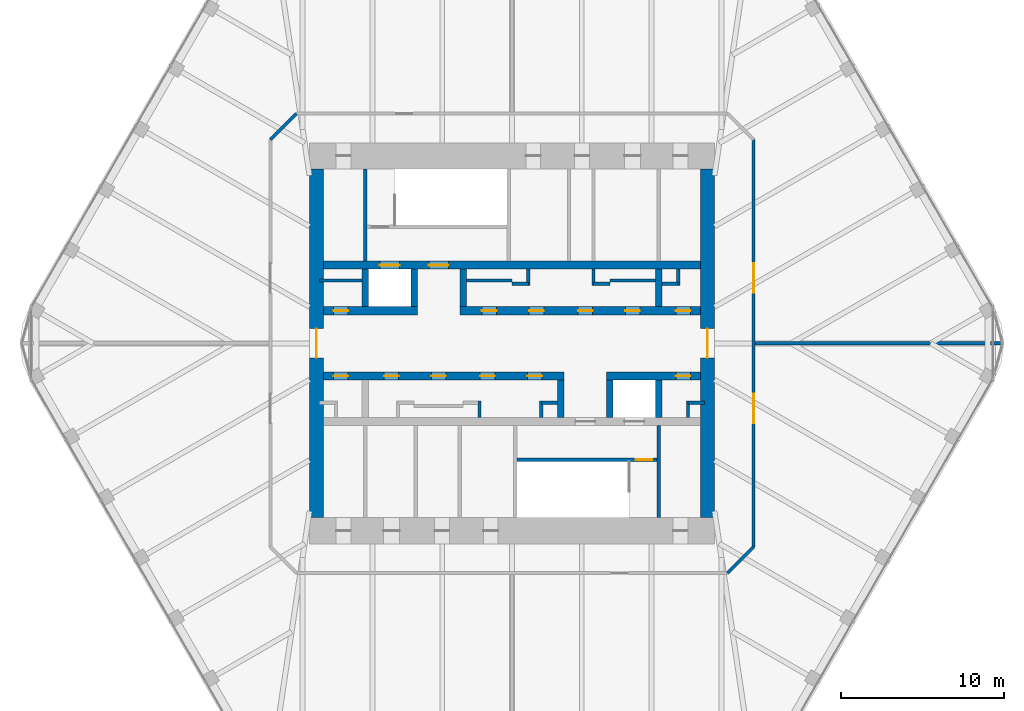
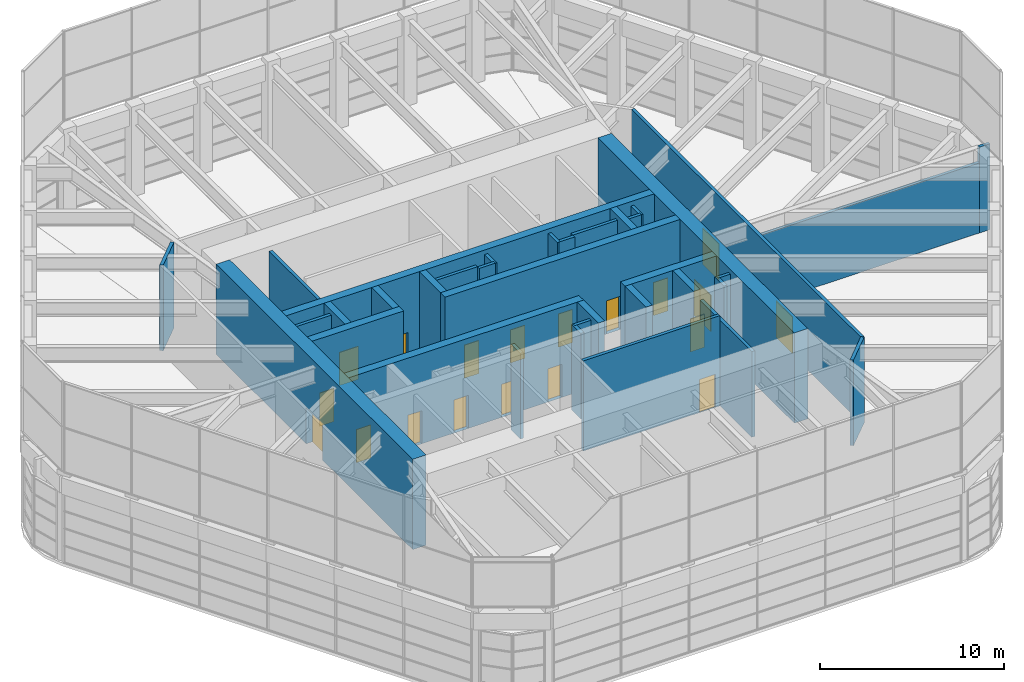
# One storey, part 15 of 17: 36 walls, 19 doors, 19 openings.
"""IFC4 building model written with IfcOpenShell, lengths in metres."""

from ifc_helpers import new_model, si_unit, direction, frame, frame_2d, origin, place, context, subcontext, project, spatial, rectangle, extrude, material, layer, layer_set, type_object, element, fill, save


model = new_model("IFC4")

# Units and contexts
model_context = context("Model", 3, precision=1e-05, world=origin(), true_north=direction((0.0, 1.0)))
body_context = subcontext(model_context, "Body", "Model", "MODEL_VIEW")
ifc_project = project(units=[si_unit("LENGTHUNIT", "METRE"), si_unit("AREAUNIT", "SQUARE_METRE"), si_unit("VOLUMEUNIT", "CUBIC_METRE"), si_unit("PLANEANGLEUNIT", "RADIAN"), si_unit("MASSUNIT", "GRAM", prefix="KILO")], contexts=[model_context])

# Site, building, storey
site_placement = place(None, origin())
site = spatial("IfcSite", under=ifc_project, at=site_placement, CompositionType="ELEMENT")
building_placement = place(site_placement, origin())
building = spatial("IfcBuilding", under=site, at=building_placement, Name="Tarfa Lantern Tower", CompositionType="ELEMENT")
storey_placement = place(building_placement, frame((0.0, 0.0, 402.300048828125)))
storey = spatial("IfcBuildingStorey", under=building, at=storey_placement, Name="L91", CompositionType="ELEMENT", Elevation=402.300048828125)

# Walls
ifc_material_1 = material(Name="Concrete blockwork", Category="masonry")
ifc_layer_1 = layer(ifc_material_1, 0.199951171875)
ifc_layer_set_1 = layer_set([ifc_layer_1], Name="IW1 BLOCKWORK PARTITION 200 EI 120")
wall_type_1 = type_object("IfcWallType", Name="IW1 BLOCKWORK PARTITION 200 EI 120", PredefinedType="PARTITIONING", material=ifc_layer_set_1)
for number, where, z_axis, x_axis, name in (
    (1, (-9.0, 5.050048828125, 0.0), (0.0, 0.0, 1.0), (0.0, 1.0, 0.0), "Core partition"),
    (2, (9.0, -5.050048828125, 0.0), (0.0, 0.0, 1.0), (0.0, -1.0, 0.0), "Core partition"),
):
    element("IfcWall", number, at=place(storey_placement, frame(where, z_axis=z_axis, x_axis=x_axis)), inside=storey, type_object=wall_type_1, Name=name, PredefinedType="PARTITIONING", context=body_context, shape_type="SweptSolid", body=[
        extrude(rectangle(XDim=5.64990234375, YDim=0.199951171875, at=frame_2d((2.824951171875, 0.0))), origin(), (0.0, 0.0, 1.0), 5.699951171875),
    ])
wall_1_placement = place(storey_placement, frame((-11.800048828125, 3.85009765625, 0.0), z_axis=(0.0, 0.0, 1.0), x_axis=(1.0, 0.0, 0.0)))
element("IfcWall", 3, at=wall_1_placement, inside=storey, type_object=wall_type_1, Name="Core partition", PredefinedType="PARTITIONING", context=body_context, shape_type="SweptSolid", body=[
    extrude(rectangle(XDim=2.60009765625, YDim=0.199951171875, at=frame_2d((1.300048828125, 0.0))), origin(), (0.0, 0.0, 1.0), 5.699951171875),
])
wall_2_placement = place(storey_placement, frame((-2.800048828125, 3.85009765625, 0.0), z_axis=(0.0, 0.0, 1.0), x_axis=(1.0, 0.0, 0.0)))
element("IfcWall", 4, at=wall_2_placement, inside=storey, type_object=wall_type_1, Name="Core partition", PredefinedType="PARTITIONING", context=body_context, shape_type="SweptSolid", body=[
    extrude(rectangle(XDim=2.800048828125, YDim=0.199951171875, at=frame_2d((1.39990234375, 0.0))), origin(), (0.0, 0.0, 1.0), 5.699951171875),
])
for number, where, z_axis, x_axis, name in (
    (5, (0.0, 3.64990234375, 0.0), (0.0, 0.0, 1.0), (1.0, 0.0, 0.0), "Core partition"),
    (6, (1.0, 3.550048828125, 0.0), (0.0, 0.0, 1.0), (0.0, 1.0, 0.0), "Core partition"),
    (7, (5.0, 3.64990234375, 0.0), (0.0, 0.0, 1.0), (1.0, 0.0, 0.0), "Core partition"),
    (8, (5.0, 3.550048828125, 0.0), (0.0, 0.0, 1.0), (0.0, 1.0, 0.0), "Core partition"),
):
    element("IfcWall", number, at=place(storey_placement, frame(where, z_axis=z_axis, x_axis=x_axis)), inside=storey, type_object=wall_type_1, Name=name, PredefinedType="PARTITIONING", context=body_context, shape_type="SweptSolid", body=[
        extrude(rectangle(XDim=1.0, YDim=0.199951171875, at=frame_2d((0.5, 0.0))), origin(), (0.0, 0.0, 1.0), 5.699951171875),
    ])
wall_3_placement = place(storey_placement, frame((6.0, 3.85009765625, 0.0), z_axis=(0.0, 0.0, 1.0), x_axis=(1.0, 0.0, 0.0)))
element("IfcWall", 9, at=wall_3_placement, inside=storey, type_object=wall_type_1, Name="Core partition", PredefinedType="PARTITIONING", context=body_context, shape_type="SweptSolid", body=[
    extrude(rectangle(XDim=2.800048828125, YDim=0.199951171875, at=frame_2d((1.39990234375, 0.0))), origin(), (0.0, 0.0, 1.0), 5.699951171875),
])
for number, where, z_axis, x_axis, name in (
    (10, (9.199951171875, 3.64990234375, 0.0), (0.0, 0.0, 1.0), (1.0, 0.0, 0.0), "Core partition"),
    (11, (10.199951171875, 3.550048828125, 0.0), (0.0, 0.0, 1.0), (0.0, 1.0, 0.0), "Core partition"),
    (12, (11.800048828125, -3.64990234375, 0.0), (0.0, 0.0, 1.0), (-1.0, 0.0, 0.0), "Core partition"),
    (13, (10.800048828125, -3.550048828125, 0.0), (0.0, 0.0, 1.0), (0.0, -1.0, 0.0), "Core partition"),
    (14, (2.800048828125, -3.64990234375, 0.0), (0.0, 0.0, 1.0), (-1.0, 0.0, 0.0), "Core partition"),
    (15, (1.800048828125, -3.550048828125, 0.0), (0.0, 0.0, 1.0), (0.0, -1.0, 0.0), "Core partition"),
    (16, (-2.0, -3.550048828125, 0.0), (0.0, 0.0, 1.0), (0.0, -1.0, 0.0), "Core partition"),
):
    element("IfcWall", number, at=place(storey_placement, frame(where, z_axis=z_axis, x_axis=x_axis)), inside=storey, type_object=wall_type_1, Name=name, PredefinedType="PARTITIONING", context=body_context, shape_type="SweptSolid", body=[
        extrude(rectangle(XDim=1.0, YDim=0.199951171875, at=frame_2d((0.5, 0.0))), origin(), (0.0, 0.0, 1.0), 5.699951171875),
    ])

# Wall, openings, doors
wall_4_placement = place(storey_placement, frame((14.824951171875, 12.5, 0.0), z_axis=(0.0, 0.0, 1.0), x_axis=(0.0, -1.0, 0.0)))
wall_4 = element("IfcWall", 17, at=wall_4_placement, inside=storey, type_object=wall_type_1, Name="Fire-rated partition", PredefinedType="PARTITIONING", context=body_context, shape_type="SweptSolid", body=[
    extrude(rectangle(XDim=25.0, YDim=0.199951171875, at=frame_2d((12.5, 0.0))), origin(), (0.0, 0.0, 1.0), 5.699951171875),
])
opening_1_placement = place(wall_4_placement, frame((7.60009765625, 0.0, 0.0)))
opening_1 = element("IfcOpeningElement", 18, at=opening_1_placement, cuts=wall_4, Name="Opening D29", PredefinedType="OPENING", context=body_context, shape_type="SweptSolid", body=[
    extrude(rectangle(XDim=1.800048828125, YDim=2.39990234375, at=frame_2d((0.89990234375, 1.199951171875))), frame((0.0, 0.10986328125, 0.0), z_axis=(0.0, -1.0, 0.0), x_axis=(1.0, 0.0, 0.0)), (0.0, 0.0, 1.0), 0.219970703125),
])
opening_2_placement = place(wall_4_placement, frame((15.60009765625, 0.0, 0.0)))
opening_2 = element("IfcOpeningElement", 19, at=opening_2_placement, cuts=wall_4, Name="Opening D31", PredefinedType="OPENING", context=body_context, shape_type="SweptSolid", body=[
    extrude(rectangle(XDim=1.800048828125, YDim=2.39990234375, at=frame_2d((0.89990234375, 1.199951171875))), frame((0.0, 0.10986328125, 0.0), z_axis=(0.0, -1.0, 0.0), x_axis=(1.0, 0.0, 0.0)), (0.0, 0.0, 1.0), 0.219970703125),
])
ifc_material_2 = material(Name="Steel fire door", Category="steel")
door_type_1 = type_object("IfcDoorType", Name="DF7 FIRE DOOR 1800x2400", OperationType="DOUBLE_DOOR_SINGLE_SWING", PredefinedType="DOOR", material=ifc_material_2)
door_1_placement = place(opening_1_placement, origin())
door_1 = element("IfcDoor", 20, at=door_1_placement, inside=storey, type_object=door_type_1, Name="Building maintenance plant room door", OperationType="DOUBLE_DOOR_SINGLE_SWING", OverallHeight=2.39990234375, OverallWidth=1.800048828125, PredefinedType="DOOR", context=body_context, shape_type="SweptSolid", body=[
    extrude(rectangle(XDim=1.800048828125, YDim=2.39990234375, at=frame_2d((0.89990234375, 1.199951171875))), frame((0.0, 0.02490234375, 0.0), z_axis=(0.0, -1.0, 0.0), x_axis=(1.0, 0.0, 0.0)), (0.0, 0.0, 1.0), 0.050048828125),
])
fill(opening_1, door_1)
door_2_placement = place(opening_2_placement, origin())
door_2 = element("IfcDoor", 21, at=door_2_placement, inside=storey, type_object=door_type_1, Name="Water tank room door", OperationType="DOUBLE_DOOR_SINGLE_SWING", OverallHeight=2.39990234375, OverallWidth=1.800048828125, PredefinedType="DOOR", context=body_context, shape_type="SweptSolid", body=[
    extrude(rectangle(XDim=1.800048828125, YDim=2.39990234375, at=frame_2d((0.89990234375, 1.199951171875))), frame((0.0, 0.02490234375, 0.0), z_axis=(0.0, -1.0, 0.0), x_axis=(1.0, 0.0, 0.0)), (0.0, 0.0, 1.0), 0.050048828125),
])
fill(opening_2, door_2)

# Walls
for number, where, z_axis, x_axis, name in (
    (22, (14.824951171875, -12.5, 0.0), (0.0, 0.0, 1.0), (-0.707052830339, -0.707160727918, 0.0), "Fire-rated partition"),
    (23, (-14.824951171875, 12.5, 0.0), (0.0, 0.0, 1.0), (0.707052830339, 0.707160727918, 0.0), "Fire-rated partition"),
):
    element("IfcWall", number, at=place(storey_placement, frame(where, z_axis=z_axis, x_axis=x_axis)), inside=storey, type_object=wall_type_1, Name=name, PredefinedType="PARTITIONING", context=body_context, shape_type="SweptSolid", body=[
        extrude(rectangle(XDim=2.2626953125, YDim=0.199951171875, at=frame_2d((1.13134765625, 0.0))), origin(), (0.0, 0.0, 1.0), 5.699951171875),
    ])
wall_5_placement = place(storey_placement, frame((14.925048828125, 0.0, 0.0), z_axis=(0.0, 0.0, 1.0), x_axis=(1.0, 0.0, 0.0)))
element("IfcWall", 24, at=wall_5_placement, inside=storey, type_object=wall_type_1, Name="Fire-rated partition", PredefinedType="PARTITIONING", context=body_context, shape_type="SweptSolid", body=[
    extrude(rectangle(XDim=14.421630859375, YDim=0.199951171875, at=frame_2d((7.2109375, 0.0))), origin(), (0.0, 0.0, 1.0), 4.66357421875),
])
wall_6_placement = place(storey_placement, frame((29.3466796875, 0.0, 0.0), z_axis=(0.0, 0.0, 1.0), x_axis=(1.0, 0.0, 0.0)))
element("IfcWall", 25, at=wall_6_placement, inside=storey, type_object=wall_type_1, Name="Fire-rated partition", PredefinedType="PARTITIONING", context=body_context, shape_type="SweptSolid", body=[
    extrude(rectangle(XDim=0.65673828125, YDim=0.199951171875, at=frame_2d((0.328369140625, 0.0))), origin(), (0.0, 0.0, 1.0), 5.699951171875),
])

# Wall, opening, door
ifc_material_3 = material(Name="Concrete C80/95", Category="concrete")
ifc_layer_2 = layer(ifc_material_3, 0.199951171875)
ifc_layer_set_2 = layer_set([ifc_layer_2], Name="SW12 CORE WALL 200")
wall_type_2 = type_object("IfcWallType", Name="SW12 CORE WALL 200", PredefinedType="SHEAR", material=ifc_layer_set_2)
wall_7_placement = place(storey_placement, frame((8.89990234375, -7.14990234375, 0.0), z_axis=(0.0, 0.0, 1.0), x_axis=(-1.0, 0.0, 0.0)))
wall_7 = element("IfcWall", 26, at=wall_7_placement, inside=storey, type_object=wall_type_2, Name="Core wall stair partition S", PredefinedType="SHEAR", context=body_context, shape_type="SweptSolid", body=[
    extrude(rectangle(XDim=8.599853515625, YDim=0.199951171875, at=frame_2d((4.2998046875, 0.0))), origin(), (0.0, 0.0, 1.0), 6.0),
])
opening_3_placement = place(wall_7_placement, frame((0.300048828125, 0.0, 0.0)))
opening_3 = element("IfcOpeningElement", 27, at=opening_3_placement, cuts=wall_7, Name="Opening D28", PredefinedType="OPENING", context=body_context, shape_type="SweptSolid", body=[
    extrude(rectangle(XDim=1.0, YDim=2.199951171875, at=frame_2d((0.5, 1.10009765625))), frame((0.0, 0.10986328125, 0.0), z_axis=(0.0, -1.0, 0.0), x_axis=(1.0, 0.0, 0.0)), (0.0, 0.0, 1.0), 0.219970703125),
])
door_type_2 = type_object("IfcDoorType", Name="DF2 STAIR DOOR 1000x2200", OperationType="SINGLE_SWING_LEFT", PredefinedType="DOOR", material=ifc_material_2)
door_3_placement = place(opening_3_placement, origin())
door_3 = element("IfcDoor", 28, at=door_3_placement, inside=storey, type_object=door_type_2, Name="Stair door", OperationType="SINGLE_SWING_RIGHT", OverallHeight=2.199951171875, OverallWidth=1.0, PredefinedType="DOOR", context=body_context, shape_type="SweptSolid", body=[
    extrude(rectangle(XDim=1.0, YDim=2.199951171875, at=frame_2d((0.5, 1.10009765625))), frame((0.0, 0.02490234375, 0.0), z_axis=(0.0, -1.0, 0.0), x_axis=(1.0, 0.0, 0.0)), (0.0, 0.0, 1.0), 0.050048828125),
])
fill(opening_3, door_3)

ifc_layer_3 = layer(ifc_material_3, 0.85009765625)
ifc_layer_set_3 = layer_set([ifc_layer_3], Name="SW3 CORE WALL 850")
wall_type_3 = type_object("IfcWallType", Name="SW3 CORE WALL 850", PredefinedType="SHEAR", material=ifc_layer_set_3)
wall_8_placement = place(storey_placement, frame((12.0, -10.699951171875, 0.0), z_axis=(0.0, 0.0, 1.0), x_axis=(0.0, 1.0, 0.0)))
wall_8 = element("IfcWall", 29, at=wall_8_placement, inside=storey, type_object=wall_type_3, Name="Core wall E", PredefinedType="SHEAR", context=body_context, shape_type="SweptSolid", body=[
    extrude(rectangle(XDim=21.39990234375, YDim=0.85009765625, at=frame_2d((10.699951171875, 0.0))), origin(), (0.0, 0.0, 1.0), 6.0),
])
opening_4_placement = place(wall_8_placement, frame((9.800048828125, 0.0, 0.0)))
opening_4 = element("IfcOpeningElement", 30, at=opening_4_placement, cuts=wall_8, Name="Opening D07", PredefinedType="OPENING", context=body_context, shape_type="SweptSolid", body=[
    extrude(rectangle(XDim=1.800048828125, YDim=2.39990234375, at=frame_2d((0.89990234375, 1.199951171875))), frame((0.0, 0.43505859375, 0.0), z_axis=(0.0, -1.0, 0.0), x_axis=(1.0, 0.0, 0.0)), (0.0, 0.0, 1.0), 0.8701171875),
])
door_type_3 = type_object("IfcDoorType", Name="DL1 LOBBY DOOR 1800x2400", OperationType="DOUBLE_DOOR_SINGLE_SWING", PredefinedType="DOOR", material=ifc_material_2)
door_4_placement = place(opening_4_placement, frame((1.800048828125, 0.0, 0.0), z_axis=(0.0, 0.0, 1.0), x_axis=(-1.0, 0.0, 0.0)))
door_4 = element("IfcDoor", 31, at=door_4_placement, inside=storey, type_object=door_type_3, Name="Lift lobby door", OperationType="DOUBLE_DOOR_SINGLE_SWING", OverallHeight=2.39990234375, OverallWidth=1.800048828125, PredefinedType="DOOR", context=body_context, shape_type="SweptSolid", body=[
    extrude(rectangle(XDim=1.800048828125, YDim=2.39990234375, at=frame_2d((0.89990234375, 1.199951171875))), frame((0.0, 0.02490234375, 0.0), z_axis=(0.0, -1.0, 0.0), x_axis=(1.0, 0.0, 0.0)), (0.0, 0.0, 1.0), 0.050048828125),
])
fill(opening_4, door_4)

wall_9_placement = place(storey_placement, frame((-12.0, 10.699951171875, 0.0), z_axis=(0.0, 0.0, 1.0), x_axis=(0.0, -1.0, 0.0)))
wall_9 = element("IfcWall", 32, at=wall_9_placement, inside=storey, type_object=wall_type_3, Name="Core wall W", PredefinedType="SHEAR", context=body_context, shape_type="SweptSolid", body=[
    extrude(rectangle(XDim=21.39990234375, YDim=0.85009765625, at=frame_2d((10.699951171875, 0.0))), origin(), (0.0, 0.0, 1.0), 6.0),
])
opening_5_placement = place(wall_9_placement, frame((9.800048828125, 0.0, 0.0)))
opening_5 = element("IfcOpeningElement", 33, at=opening_5_placement, cuts=wall_9, Name="Opening D08", PredefinedType="OPENING", context=body_context, shape_type="SweptSolid", body=[
    extrude(rectangle(XDim=1.800048828125, YDim=2.39990234375, at=frame_2d((0.89990234375, 1.199951171875))), frame((0.0, 0.43505859375, 0.0), z_axis=(0.0, -1.0, 0.0), x_axis=(1.0, 0.0, 0.0)), (0.0, 0.0, 1.0), 0.8701171875),
])
door_5_placement = place(opening_5_placement, frame((1.800048828125, 0.0, 0.0), z_axis=(0.0, 0.0, 1.0), x_axis=(-1.0, 0.0, 0.0)))
door_5 = element("IfcDoor", 34, at=door_5_placement, inside=storey, type_object=door_type_3, Name="Lift lobby door", OperationType="DOUBLE_DOOR_SINGLE_SWING", OverallHeight=2.39990234375, OverallWidth=1.800048828125, PredefinedType="DOOR", context=body_context, shape_type="SweptSolid", body=[
    extrude(rectangle(XDim=1.800048828125, YDim=2.39990234375, at=frame_2d((0.89990234375, 1.199951171875))), frame((0.0, 0.02490234375, 0.0), z_axis=(0.0, -1.0, 0.0), x_axis=(1.0, 0.0, 0.0)), (0.0, 0.0, 1.0), 0.050048828125),
])
fill(opening_5, door_5)

ifc_layer_4 = layer(ifc_material_3, 0.5)
ifc_layer_set_4 = layer_set([ifc_layer_4], Name="SW5 CORE WALL 500")
wall_type_4 = type_object("IfcWallType", Name="SW5 CORE WALL 500", PredefinedType="SHEAR", material=ifc_layer_set_4)
wall_10_placement = place(storey_placement, frame((-11.574951171875, 2.0, 0.0), z_axis=(0.0, 0.0, 1.0), x_axis=(1.0, 0.0, 0.0)))
wall_10 = element("IfcWall", 35, at=wall_10_placement, inside=storey, type_object=wall_type_4, Name="Core wall lobby west N", PredefinedType="SHEAR", context=body_context, shape_type="SweptSolid", body=[
    extrude(rectangle(XDim=5.77490234375, YDim=0.5, at=frame_2d((2.887451171875, 0.0))), origin(), (0.0, 0.0, 1.0), 6.0),
])
opening_6_placement = place(wall_10_placement, frame((0.625, 0.0, 0.0)))
opening_6 = element("IfcOpeningElement", 36, at=opening_6_placement, cuts=wall_10, Name="Opening D11", PredefinedType="OPENING", context=body_context, shape_type="SweptSolid", body=[
    extrude(rectangle(XDim=0.89990234375, YDim=2.199951171875, at=frame_2d((0.449951171875, 1.10009765625))), frame((0.0, 0.260009765625, 0.0), z_axis=(0.0, -1.0, 0.0), x_axis=(1.0, 0.0, 0.0)), (0.0, 0.0, 1.0), 0.52001953125),
])
door_type_4 = type_object("IfcDoorType", Name="DF6 SERVICE ROOM DOOR 900x2200", OperationType="SINGLE_SWING_LEFT", PredefinedType="DOOR", material=ifc_material_2)
door_6_placement = place(opening_6_placement, origin())
door_6 = element("IfcDoor", 37, at=door_6_placement, inside=storey, type_object=door_type_4, Name="Service room door", OperationType="SINGLE_SWING_RIGHT", OverallHeight=2.199951171875, OverallWidth=0.89990234375, PredefinedType="DOOR", context=body_context, shape_type="SweptSolid", body=[
    extrude(rectangle(XDim=0.89990234375, YDim=2.199951171875, at=frame_2d((0.449951171875, 1.10009765625))), frame((0.0, 0.02490234375, 0.0), z_axis=(0.0, -1.0, 0.0), x_axis=(1.0, 0.0, 0.0)), (0.0, 0.0, 1.0), 0.050048828125),
])
fill(opening_6, door_6)

# Wall, openings, doors
wall_11_placement = place(storey_placement, frame((-3.199951171875, 2.0, 0.0), z_axis=(0.0, 0.0, 1.0), x_axis=(1.0, 0.0, 0.0)))
wall_11 = element("IfcWall", 38, at=wall_11_placement, inside=storey, type_object=wall_type_4, Name="Core wall lobby east N", PredefinedType="SHEAR", context=body_context, shape_type="SweptSolid", body=[
    extrude(rectangle(XDim=14.77490234375, YDim=0.5, at=frame_2d((7.387451171875, 0.0))), origin(), (0.0, 0.0, 1.0), 6.0),
])
opening_7_placement = place(wall_11_placement, frame((1.35009765625, 0.0, 0.0)))
opening_7 = element("IfcOpeningElement", 39, at=opening_7_placement, cuts=wall_11, Name="Opening D13", PredefinedType="OPENING", context=body_context, shape_type="SweptSolid", body=[
    extrude(rectangle(XDim=0.89990234375, YDim=2.199951171875, at=frame_2d((0.449951171875, 1.10009765625))), frame((0.0, 0.260009765625, 0.0), z_axis=(0.0, -1.0, 0.0), x_axis=(1.0, 0.0, 0.0)), (0.0, 0.0, 1.0), 0.52001953125),
])
opening_8_placement = place(wall_11_placement, frame((4.25, 0.0, 0.0)))
opening_8 = element("IfcOpeningElement", 40, at=opening_8_placement, cuts=wall_11, Name="Opening D15", PredefinedType="OPENING", context=body_context, shape_type="SweptSolid", body=[
    extrude(rectangle(XDim=0.89990234375, YDim=2.199951171875, at=frame_2d((0.449951171875, 1.10009765625))), frame((0.0, 0.260009765625, 0.0), z_axis=(0.0, -1.0, 0.0), x_axis=(1.0, 0.0, 0.0)), (0.0, 0.0, 1.0), 0.52001953125),
])
opening_9_placement = place(wall_11_placement, frame((7.25, 0.0, 0.0)))
opening_9 = element("IfcOpeningElement", 41, at=opening_9_placement, cuts=wall_11, Name="Opening D17", PredefinedType="OPENING", context=body_context, shape_type="SweptSolid", body=[
    extrude(rectangle(XDim=0.89990234375, YDim=2.199951171875, at=frame_2d((0.449951171875, 1.10009765625))), frame((0.0, 0.260009765625, 0.0), z_axis=(0.0, -1.0, 0.0), x_axis=(1.0, 0.0, 0.0)), (0.0, 0.0, 1.0), 0.52001953125),
])
opening_10_placement = place(wall_11_placement, frame((10.14990234375, 0.0, 0.0)))
opening_10 = element("IfcOpeningElement", 42, at=opening_10_placement, cuts=wall_11, Name="Opening D19", PredefinedType="OPENING", context=body_context, shape_type="SweptSolid", body=[
    extrude(rectangle(XDim=0.89990234375, YDim=2.199951171875, at=frame_2d((0.449951171875, 1.10009765625))), frame((0.0, 0.260009765625, 0.0), z_axis=(0.0, -1.0, 0.0), x_axis=(1.0, 0.0, 0.0)), (0.0, 0.0, 1.0), 0.52001953125),
])
opening_11_placement = place(wall_11_placement, frame((13.25, 0.0, 0.0)))
opening_11 = element("IfcOpeningElement", 43, at=opening_11_placement, cuts=wall_11, Name="Opening D09", PredefinedType="OPENING", context=body_context, shape_type="SweptSolid", body=[
    extrude(rectangle(XDim=0.89990234375, YDim=2.199951171875, at=frame_2d((0.449951171875, 1.10009765625))), frame((0.0, 0.260009765625, 0.0), z_axis=(0.0, -1.0, 0.0), x_axis=(1.0, 0.0, 0.0)), (0.0, 0.0, 1.0), 0.52001953125),
])
door_7_placement = place(opening_7_placement, origin())
door_7 = element("IfcDoor", 44, at=door_7_placement, inside=storey, type_object=door_type_4, Name="Service room door", OperationType="SINGLE_SWING_RIGHT", OverallHeight=2.199951171875, OverallWidth=0.89990234375, PredefinedType="DOOR", context=body_context, shape_type="SweptSolid", body=[
    extrude(rectangle(XDim=0.89990234375, YDim=2.199951171875, at=frame_2d((0.449951171875, 1.10009765625))), frame((0.0, 0.02490234375, 0.0), z_axis=(0.0, -1.0, 0.0), x_axis=(1.0, 0.0, 0.0)), (0.0, 0.0, 1.0), 0.050048828125),
])
fill(opening_7, door_7)
door_8_placement = place(opening_8_placement, origin())
door_8 = element("IfcDoor", 45, at=door_8_placement, inside=storey, type_object=door_type_4, Name="Service room door", OperationType="SINGLE_SWING_RIGHT", OverallHeight=2.199951171875, OverallWidth=0.89990234375, PredefinedType="DOOR", context=body_context, shape_type="SweptSolid", body=[
    extrude(rectangle(XDim=0.89990234375, YDim=2.199951171875, at=frame_2d((0.449951171875, 1.10009765625))), frame((0.0, 0.02490234375, 0.0), z_axis=(0.0, -1.0, 0.0), x_axis=(1.0, 0.0, 0.0)), (0.0, 0.0, 1.0), 0.050048828125),
])
fill(opening_8, door_8)
door_9_placement = place(opening_9_placement, origin())
door_9 = element("IfcDoor", 46, at=door_9_placement, inside=storey, type_object=door_type_4, Name="Service room door", OperationType="SINGLE_SWING_LEFT", OverallHeight=2.199951171875, OverallWidth=0.89990234375, PredefinedType="DOOR", context=body_context, shape_type="SweptSolid", body=[
    extrude(rectangle(XDim=0.89990234375, YDim=2.199951171875, at=frame_2d((0.449951171875, 1.10009765625))), frame((0.0, 0.02490234375, 0.0), z_axis=(0.0, -1.0, 0.0), x_axis=(1.0, 0.0, 0.0)), (0.0, 0.0, 1.0), 0.050048828125),
])
fill(opening_9, door_9)
door_10_placement = place(opening_10_placement, origin())
door_10 = element("IfcDoor", 47, at=door_10_placement, inside=storey, type_object=door_type_4, Name="Service room door", OperationType="SINGLE_SWING_LEFT", OverallHeight=2.199951171875, OverallWidth=0.89990234375, PredefinedType="DOOR", context=body_context, shape_type="SweptSolid", body=[
    extrude(rectangle(XDim=0.89990234375, YDim=2.199951171875, at=frame_2d((0.449951171875, 1.10009765625))), frame((0.0, 0.02490234375, 0.0), z_axis=(0.0, -1.0, 0.0), x_axis=(1.0, 0.0, 0.0)), (0.0, 0.0, 1.0), 0.050048828125),
])
fill(opening_10, door_10)
door_11_placement = place(opening_11_placement, origin())
door_11 = element("IfcDoor", 48, at=door_11_placement, inside=storey, type_object=door_type_4, Name="Service room door", OperationType="SINGLE_SWING_LEFT", OverallHeight=2.199951171875, OverallWidth=0.89990234375, PredefinedType="DOOR", context=body_context, shape_type="SweptSolid", body=[
    extrude(rectangle(XDim=0.89990234375, YDim=2.199951171875, at=frame_2d((0.449951171875, 1.10009765625))), frame((0.0, 0.02490234375, 0.0), z_axis=(0.0, -1.0, 0.0), x_axis=(1.0, 0.0, 0.0)), (0.0, 0.0, 1.0), 0.050048828125),
])
fill(opening_11, door_11)

wall_12_placement = place(storey_placement, frame((-11.574951171875, 4.800048828125, 0.0), z_axis=(0.0, 0.0, 1.0), x_axis=(1.0, 0.0, 0.0)))
wall_12 = element("IfcWall", 49, at=wall_12_placement, inside=storey, type_object=wall_type_4, Name="Core wall rear N", PredefinedType="SHEAR", context=body_context, shape_type="SweptSolid", body=[
    extrude(rectangle(XDim=23.14990234375, YDim=0.5, at=frame_2d((11.574951171875, 0.0))), origin(), (0.0, 0.0, 1.0), 6.0),
])
opening_12_placement = place(wall_12_placement, frame((6.47509765625, 0.0, 0.0)))
opening_12 = element("IfcOpeningElement", 50, at=opening_12_placement, cuts=wall_12, Name="Opening D05", PredefinedType="OPENING", context=body_context, shape_type="SweptSolid", body=[
    extrude(rectangle(XDim=1.199951171875, YDim=2.199951171875, at=frame_2d((0.60009765625, 1.10009765625))), frame((0.0, 0.260009765625, 0.0), z_axis=(0.0, -1.0, 0.0), x_axis=(1.0, 0.0, 0.0)), (0.0, 0.0, 1.0), 0.52001953125),
])
opening_13_placement = place(wall_12_placement, frame((3.47509765625, 0.0, 0.0)))
opening_13 = element("IfcOpeningElement", 51, at=opening_13_placement, cuts=wall_12, Name="Opening LD01", PredefinedType="OPENING", context=body_context, shape_type="SweptSolid", body=[
    extrude(rectangle(XDim=1.199951171875, YDim=2.199951171875, at=frame_2d((0.60009765625, 1.10009765625))), frame((0.0, 0.260009765625, 0.0), z_axis=(0.0, -1.0, 0.0), x_axis=(1.0, 0.0, 0.0)), (0.0, 0.0, 1.0), 0.52001953125),
])
door_type_5 = type_object("IfcDoorType", Name="DF1 FIREFIGHTING LOBBY DOOR 1200x2200", OperationType="SINGLE_SWING_LEFT", PredefinedType="DOOR", material=ifc_material_2)
door_12_placement = place(opening_12_placement, origin())
door_12 = element("IfcDoor", 52, at=door_12_placement, inside=storey, type_object=door_type_5, Name="Firefighting lobby door", OperationType="SINGLE_SWING_LEFT", OverallHeight=2.199951171875, OverallWidth=1.199951171875, PredefinedType="DOOR", context=body_context, shape_type="SweptSolid", body=[
    extrude(rectangle(XDim=1.199951171875, YDim=2.199951171875, at=frame_2d((0.60009765625, 1.10009765625))), frame((0.0, 0.02490234375, 0.0), z_axis=(0.0, -1.0, 0.0), x_axis=(1.0, 0.0, 0.0)), (0.0, 0.0, 1.0), 0.050048828125),
])
fill(opening_12, door_12)
ifc_material_4 = material(Name="Stainless steel lift door", Category="steel")
door_type_6 = type_object("IfcDoorType", Name="LD1 LIFT LANDING DOOR 1200x2200", OperationType="SLIDING_TO_LEFT", PredefinedType="DOOR", material=ifc_material_4)
door_13_placement = place(opening_13_placement, origin())
door_13 = element("IfcDoor", 53, at=door_13_placement, inside=storey, type_object=door_type_6, Name="Landing door FL1", OperationType="SLIDING_TO_LEFT", OverallHeight=2.199951171875, OverallWidth=1.199951171875, PredefinedType="DOOR", context=body_context, shape_type="SweptSolid", body=[
    extrude(rectangle(XDim=1.199951171875, YDim=2.199951171875, at=frame_2d((0.60009765625, 1.10009765625))), frame((0.0, 0.02490234375, 0.0), z_axis=(0.0, -1.0, 0.0), x_axis=(1.0, 0.0, 0.0)), (0.0, 0.0, 1.0), 0.050048828125),
])
fill(opening_13, door_13)

# Wall, opening, door
wall_13_placement = place(storey_placement, frame((11.574951171875, -2.0, 0.0), z_axis=(0.0, 0.0, 1.0), x_axis=(-1.0, 0.0, 0.0)))
wall_13 = element("IfcWall", 54, at=wall_13_placement, inside=storey, type_object=wall_type_4, Name="Core wall lobby west S", PredefinedType="SHEAR", context=body_context, shape_type="SweptSolid", body=[
    extrude(rectangle(XDim=5.77490234375, YDim=0.5, at=frame_2d((2.887451171875, 0.0))), origin(), (0.0, 0.0, 1.0), 6.0),
])
opening_14_placement = place(wall_13_placement, frame((0.625, 0.0, 0.0)))
opening_14 = element("IfcOpeningElement", 55, at=opening_14_placement, cuts=wall_13, Name="Opening D12", PredefinedType="OPENING", context=body_context, shape_type="SweptSolid", body=[
    extrude(rectangle(XDim=0.89990234375, YDim=2.199951171875, at=frame_2d((0.449951171875, 1.10009765625))), frame((0.0, 0.260009765625, 0.0), z_axis=(0.0, -1.0, 0.0), x_axis=(1.0, 0.0, 0.0)), (0.0, 0.0, 1.0), 0.52001953125),
])
door_14_placement = place(opening_14_placement, origin())
door_14 = element("IfcDoor", 56, at=door_14_placement, inside=storey, type_object=door_type_4, Name="Service room door", OperationType="SINGLE_SWING_RIGHT", OverallHeight=2.199951171875, OverallWidth=0.89990234375, PredefinedType="DOOR", context=body_context, shape_type="SweptSolid", body=[
    extrude(rectangle(XDim=0.89990234375, YDim=2.199951171875, at=frame_2d((0.449951171875, 1.10009765625))), frame((0.0, 0.02490234375, 0.0), z_axis=(0.0, -1.0, 0.0), x_axis=(1.0, 0.0, 0.0)), (0.0, 0.0, 1.0), 0.050048828125),
])
fill(opening_14, door_14)

# Wall, openings, doors
wall_14_placement = place(storey_placement, frame((3.199951171875, -2.0, 0.0), z_axis=(0.0, 0.0, 1.0), x_axis=(-1.0, 0.0, 0.0)))
wall_14 = element("IfcWall", 57, at=wall_14_placement, inside=storey, type_object=wall_type_4, Name="Core wall lobby east S", PredefinedType="SHEAR", context=body_context, shape_type="SweptSolid", body=[
    extrude(rectangle(XDim=14.77490234375, YDim=0.5, at=frame_2d((7.387451171875, 0.0))), origin(), (0.0, 0.0, 1.0), 6.0),
])
opening_15_placement = place(wall_14_placement, frame((1.35009765625, 0.0, 0.0)))
opening_15 = element("IfcOpeningElement", 58, at=opening_15_placement, cuts=wall_14, Name="Opening D14", PredefinedType="OPENING", context=body_context, shape_type="SweptSolid", body=[
    extrude(rectangle(XDim=0.89990234375, YDim=2.199951171875, at=frame_2d((0.449951171875, 1.10009765625))), frame((0.0, 0.260009765625, 0.0), z_axis=(0.0, -1.0, 0.0), x_axis=(1.0, 0.0, 0.0)), (0.0, 0.0, 1.0), 0.52001953125),
])
opening_16_placement = place(wall_14_placement, frame((4.25, 0.0, 0.0)))
opening_16 = element("IfcOpeningElement", 59, at=opening_16_placement, cuts=wall_14, Name="Opening D16", PredefinedType="OPENING", context=body_context, shape_type="SweptSolid", body=[
    extrude(rectangle(XDim=0.89990234375, YDim=2.199951171875, at=frame_2d((0.449951171875, 1.10009765625))), frame((0.0, 0.260009765625, 0.0), z_axis=(0.0, -1.0, 0.0), x_axis=(1.0, 0.0, 0.0)), (0.0, 0.0, 1.0), 0.52001953125),
])
opening_17_placement = place(wall_14_placement, frame((7.25, 0.0, 0.0)))
opening_17 = element("IfcOpeningElement", 60, at=opening_17_placement, cuts=wall_14, Name="Opening D18", PredefinedType="OPENING", context=body_context, shape_type="SweptSolid", body=[
    extrude(rectangle(XDim=0.89990234375, YDim=2.199951171875, at=frame_2d((0.449951171875, 1.10009765625))), frame((0.0, 0.260009765625, 0.0), z_axis=(0.0, -1.0, 0.0), x_axis=(1.0, 0.0, 0.0)), (0.0, 0.0, 1.0), 0.52001953125),
])
opening_18_placement = place(wall_14_placement, frame((10.14990234375, 0.0, 0.0)))
opening_18 = element("IfcOpeningElement", 61, at=opening_18_placement, cuts=wall_14, Name="Opening D20", PredefinedType="OPENING", context=body_context, shape_type="SweptSolid", body=[
    extrude(rectangle(XDim=0.89990234375, YDim=2.199951171875, at=frame_2d((0.449951171875, 1.10009765625))), frame((0.0, 0.260009765625, 0.0), z_axis=(0.0, -1.0, 0.0), x_axis=(1.0, 0.0, 0.0)), (0.0, 0.0, 1.0), 0.52001953125),
])
opening_19_placement = place(wall_14_placement, frame((13.25, 0.0, 0.0)))
opening_19 = element("IfcOpeningElement", 62, at=opening_19_placement, cuts=wall_14, Name="Opening D10", PredefinedType="OPENING", context=body_context, shape_type="SweptSolid", body=[
    extrude(rectangle(XDim=0.89990234375, YDim=2.199951171875, at=frame_2d((0.449951171875, 1.10009765625))), frame((0.0, 0.260009765625, 0.0), z_axis=(0.0, -1.0, 0.0), x_axis=(1.0, 0.0, 0.0)), (0.0, 0.0, 1.0), 0.52001953125),
])
door_15_placement = place(opening_15_placement, origin())
door_15 = element("IfcDoor", 63, at=door_15_placement, inside=storey, type_object=door_type_4, Name="Service room door", OperationType="SINGLE_SWING_RIGHT", OverallHeight=2.199951171875, OverallWidth=0.89990234375, PredefinedType="DOOR", context=body_context, shape_type="SweptSolid", body=[
    extrude(rectangle(XDim=0.89990234375, YDim=2.199951171875, at=frame_2d((0.449951171875, 1.10009765625))), frame((0.0, 0.02490234375, 0.0), z_axis=(0.0, -1.0, 0.0), x_axis=(1.0, 0.0, 0.0)), (0.0, 0.0, 1.0), 0.050048828125),
])
fill(opening_15, door_15)
door_16_placement = place(opening_16_placement, origin())
door_16 = element("IfcDoor", 64, at=door_16_placement, inside=storey, type_object=door_type_4, Name="Service room door", OperationType="SINGLE_SWING_RIGHT", OverallHeight=2.199951171875, OverallWidth=0.89990234375, PredefinedType="DOOR", context=body_context, shape_type="SweptSolid", body=[
    extrude(rectangle(XDim=0.89990234375, YDim=2.199951171875, at=frame_2d((0.449951171875, 1.10009765625))), frame((0.0, 0.02490234375, 0.0), z_axis=(0.0, -1.0, 0.0), x_axis=(1.0, 0.0, 0.0)), (0.0, 0.0, 1.0), 0.050048828125),
])
fill(opening_16, door_16)
door_17_placement = place(opening_17_placement, origin())
door_17 = element("IfcDoor", 65, at=door_17_placement, inside=storey, type_object=door_type_4, Name="Service room door", OperationType="SINGLE_SWING_LEFT", OverallHeight=2.199951171875, OverallWidth=0.89990234375, PredefinedType="DOOR", context=body_context, shape_type="SweptSolid", body=[
    extrude(rectangle(XDim=0.89990234375, YDim=2.199951171875, at=frame_2d((0.449951171875, 1.10009765625))), frame((0.0, 0.02490234375, 0.0), z_axis=(0.0, -1.0, 0.0), x_axis=(1.0, 0.0, 0.0)), (0.0, 0.0, 1.0), 0.050048828125),
])
fill(opening_17, door_17)
door_18_placement = place(opening_18_placement, origin())
door_18 = element("IfcDoor", 66, at=door_18_placement, inside=storey, type_object=door_type_4, Name="Service room door", OperationType="SINGLE_SWING_LEFT", OverallHeight=2.199951171875, OverallWidth=0.89990234375, PredefinedType="DOOR", context=body_context, shape_type="SweptSolid", body=[
    extrude(rectangle(XDim=0.89990234375, YDim=2.199951171875, at=frame_2d((0.449951171875, 1.10009765625))), frame((0.0, 0.02490234375, 0.0), z_axis=(0.0, -1.0, 0.0), x_axis=(1.0, 0.0, 0.0)), (0.0, 0.0, 1.0), 0.050048828125),
])
fill(opening_18, door_18)
door_19_placement = place(opening_19_placement, origin())
door_19 = element("IfcDoor", 67, at=door_19_placement, inside=storey, type_object=door_type_4, Name="Service room door", OperationType="SINGLE_SWING_LEFT", OverallHeight=2.199951171875, OverallWidth=0.89990234375, PredefinedType="DOOR", context=body_context, shape_type="SweptSolid", body=[
    extrude(rectangle(XDim=0.89990234375, YDim=2.199951171875, at=frame_2d((0.449951171875, 1.10009765625))), frame((0.0, 0.02490234375, 0.0), z_axis=(0.0, -1.0, 0.0), x_axis=(1.0, 0.0, 0.0)), (0.0, 0.0, 1.0), 0.050048828125),
])
fill(opening_19, door_19)

# Walls
ifc_layer_5 = layer(ifc_material_3, 0.39990234375)
ifc_layer_set_5 = layer_set([ifc_layer_5], Name="SW6 CORE WALL 400")
wall_type_5 = type_object("IfcWallType", Name="SW6 CORE WALL 400", PredefinedType="SHEAR", material=ifc_layer_set_5)
for number, where, z_axis, x_axis, name in (
    (68, (-9.0, 2.25, 0.0), (0.0, 0.0, 1.0), (0.0, 1.0, 0.0), "Core wall divider N"),
    (69, (-6.0, 2.25, 0.0), (0.0, 0.0, 1.0), (0.0, 1.0, 0.0), "Core wall divider N"),
    (70, (-3.0, 2.25, 0.0), (0.0, 0.0, 1.0), (0.0, 1.0, 0.0), "Core wall divider N"),
    (71, (9.0, 2.25, 0.0), (0.0, 0.0, 1.0), (0.0, 1.0, 0.0), "Core wall divider N"),
    (72, (9.0, -2.25, 0.0), (0.0, 0.0, 1.0), (0.0, -1.0, 0.0), "Core wall divider S"),
    (73, (6.0, -2.25, 0.0), (0.0, 0.0, 1.0), (0.0, -1.0, 0.0), "Core wall divider S"),
    (74, (3.0, -2.25, 0.0), (0.0, 0.0, 1.0), (0.0, -1.0, 0.0), "Core wall divider S"),
):
    element("IfcWall", number, at=place(storey_placement, frame(where, z_axis=z_axis, x_axis=x_axis)), inside=storey, type_object=wall_type_5, Name=name, PredefinedType="SHEAR", context=body_context, shape_type="SweptSolid", body=[
        extrude(rectangle(XDim=2.300048828125, YDim=0.39990234375, at=frame_2d((1.14990234375, 0.0))), origin(), (0.0, 0.0, 1.0), 6.0),
    ])

save(model, "model.ifc")
